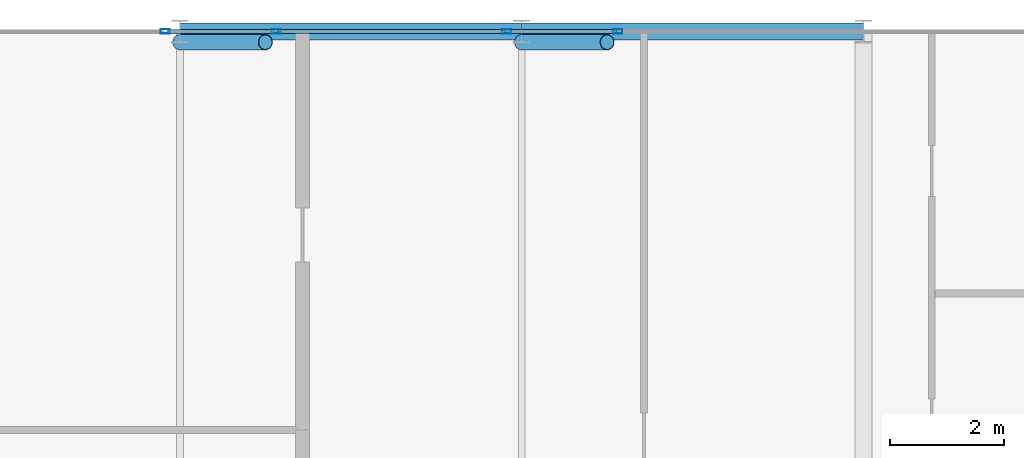
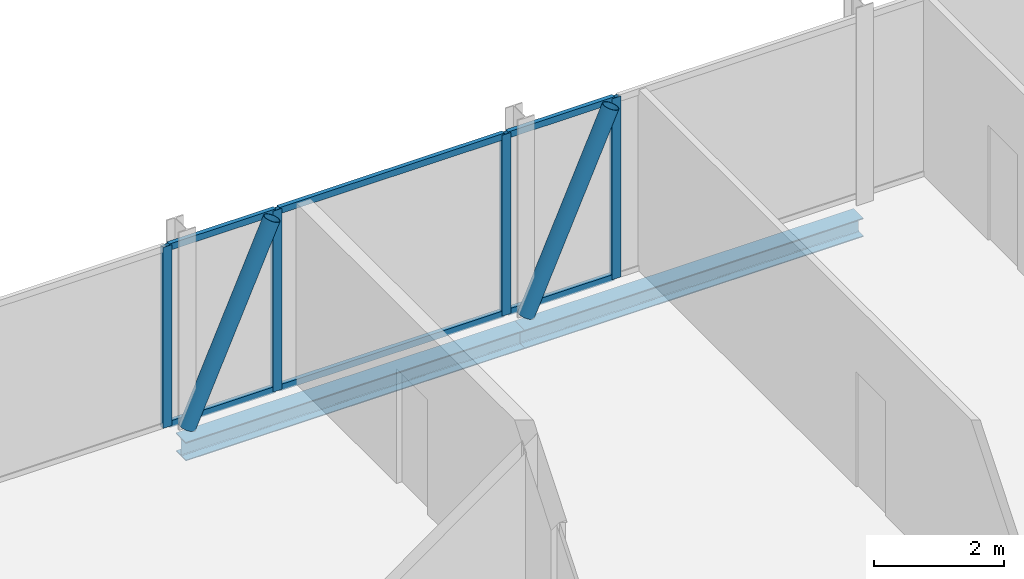
# One storey, part 17 of 27: 12 members, 2 beams, 4 elements without a shape of their own.
"""IFC4 building model written with IfcOpenShell, lengths in metres."""

from ifc_helpers import new_model, si_unit, direction, frame, origin, origin_2d, place, context, subcontext, project, spatial, hollow_rectangle, hollow_circle, i_section, extrude, material, layer, layer_set, material_profile, profile_set, type_object, element, aggregate, save


model = new_model("IFC4")

# Units and contexts
model_context = context("Model", 3, precision=1e-05, world=origin(), true_north=direction((0.0, 1.0)))
body_context = subcontext(model_context, "Body", "Model", "MODEL_VIEW")
ifc_project = project(units=[si_unit("LENGTHUNIT", "METRE"), si_unit("AREAUNIT", "SQUARE_METRE"), si_unit("VOLUMEUNIT", "CUBIC_METRE"), si_unit("PLANEANGLEUNIT", "RADIAN"), si_unit("MASSUNIT", "GRAM", prefix="KILO")], contexts=[model_context])

# Site, building, storey
site_placement = place(None, origin())
site = spatial("IfcSite", under=ifc_project, at=site_placement, CompositionType="ELEMENT")
building_placement = place(site_placement, origin())
building = spatial("IfcBuilding", under=site, at=building_placement, Name="Keshet Zoharim Tower", CompositionType="ELEMENT")
storey_placement = place(building_placement, frame((0.0, 0.0, 307.300048828125)))
storey = spatial("IfcBuildingStorey", under=building, at=storey_placement, Name="L77", CompositionType="ELEMENT", Elevation=307.300048828125)

# Beams
ifc_material_1 = material(Name="Steel S355", Category="steel")
ifc_material_profile_1 = material_profile(ifc_material_1, i_section(OverallWidth=0.300048828125, OverallDepth=0.35009765625, WebThickness=0.010009765625, FlangeThickness=0.017578125, FilletRadius=0.027099609375, at=origin_2d()), Name="HEA360")
ifc_profile_set_1 = profile_set([ifc_material_profile_1], Name="Steel S355")
beam_type = type_object("IfcBeamType", Name="BM-PRI-HA360", PredefinedType="BEAM", material=ifc_profile_set_1)
for number, where, z_axis, x_axis, name in (
    (1, (21.0, 53.89990234375, -0.485107421875), (1.0, 0.0, 0.0), (0.0, 1.0, 0.0), "L77 Primary Girder X-010"),
    (2, (27.0, 53.89990234375, -0.485107421875), (1.0, 0.0, 0.0), (0.0, 1.0, 0.0), "L77 Primary Girder X-011"),
):
    element("IfcBeam", number, at=place(storey_placement, frame(where, z_axis=z_axis, x_axis=x_axis)), inside=storey, type_object=beam_type, Name=name, PredefinedType="BEAM", context=body_context, shape_type="SweptSolid", body=[
        extrude(i_section(OverallWidth=0.300048828125, OverallDepth=0.35009765625, WebThickness=0.010009765625, FlangeThickness=0.017578125, FilletRadius=0.027099609375, at=origin_2d()), origin(), (0.0, 0.0, 1.0), 6.0),
    ])

# Curtain wall, member
ifc_material_2 = material(Name="Aluminium 6063-T6", Category="aluminium")
ifc_layer = layer(ifc_material_2, 0.260009765625)
ifc_layer_set = layer_set([ifc_layer], Name="Aluminium 6063-T6")
curtain_wall_type = type_object("IfcCurtainWallType", Name="CW-SYS-06", PredefinedType="NOTDEFINED", material=ifc_layer_set)
curtain_wall_1_placement = place(storey_placement, origin())
curtain_wall_1 = element("IfcCurtainWall", 3, at=curtain_wall_1_placement, inside=storey, type_object=curtain_wall_type, Name="L77 Unitised Curtain Wall 06", PredefinedType="NOTDEFINED")
ifc_material_profile_2 = material_profile(ifc_material_2, hollow_rectangle(XDim=0.074951171875, YDim=0.159912109375, WallThickness=0.00390625, at=origin_2d()), Name="MUL-75x160")
ifc_profile_set_2 = profile_set([ifc_material_profile_2], Name="Aluminium 6063-T6")
member_type_1 = type_object("IfcMemberType", Name="CWM-M15", PredefinedType="MULLION", material=ifc_profile_set_2)
member_1_placement = place(storey_placement, frame((20.740234375, 53.89990234375, 0.0), z_axis=(0.0, 0.0, 1.0), x_axis=(0.0, 1.0, 0.0)))
member_1 = element("IfcMember", 4, at=member_1_placement, type_object=member_type_1, Name="CW-06 mullion 2", PredefinedType="MULLION", context=body_context, shape_type="SweptSolid", body=[
    extrude(hollow_rectangle(XDim=0.074951171875, YDim=0.159912109375, WallThickness=0.00390625, at=origin_2d()), origin(), (0.0, 0.0, 1.0), 3.389892578125),
])
aggregate(curtain_wall_1, [member_1])

curtain_wall_2_placement = place(storey_placement, origin())
curtain_wall_2 = element("IfcCurtainWall", 5, at=curtain_wall_2_placement, inside=storey, type_object=curtain_wall_type, Name="L77 Unitised Curtain Wall 06 Part 2", PredefinedType="NOTDEFINED")
member_2_placement = place(storey_placement, frame((22.689697265625, 53.89990234375, 0.0), z_axis=(0.0, 0.0, 1.0), x_axis=(0.0, 1.0, 0.0)))
member_2 = element("IfcMember", 6, at=member_2_placement, type_object=member_type_1, Name="CW-06 mullion 2", PredefinedType="MULLION", context=body_context, shape_type="SweptSolid", body=[
    extrude(hollow_rectangle(XDim=0.074951171875, YDim=0.159912109375, WallThickness=0.00390625, at=origin_2d()), origin(), (0.0, 0.0, 1.0), 3.389892578125),
])

curtain_wall_3_placement = place(storey_placement, origin())
curtain_wall_3 = element("IfcCurtainWall", 7, at=curtain_wall_3_placement, inside=storey, type_object=curtain_wall_type, Name="L77 Unitised Curtain Wall 06 Part 3", PredefinedType="NOTDEFINED")
member_3_placement = place(storey_placement, frame((26.740234375, 53.89990234375, 0.0), z_axis=(0.0, 0.0, 1.0), x_axis=(0.0, 1.0, 0.0)))
member_3 = element("IfcMember", 8, at=member_3_placement, type_object=member_type_1, Name="CW-06 mullion 2", PredefinedType="MULLION", context=body_context, shape_type="SweptSolid", body=[
    extrude(hollow_rectangle(XDim=0.074951171875, YDim=0.159912109375, WallThickness=0.00390625, at=origin_2d()), origin(), (0.0, 0.0, 1.0), 3.389892578125),
])

curtain_wall_4_placement = place(storey_placement, origin())
curtain_wall_4 = element("IfcCurtainWall", 9, at=curtain_wall_4_placement, inside=storey, type_object=curtain_wall_type, Name="L77 Unitised Curtain Wall 06 Part 4", PredefinedType="NOTDEFINED")
member_4_placement = place(storey_placement, frame((28.689697265625, 53.89990234375, 0.0), z_axis=(0.0, 0.0, 1.0), x_axis=(0.0, 1.0, 0.0)))
member_4 = element("IfcMember", 10, at=member_4_placement, type_object=member_type_1, Name="CW-06 mullion 2", PredefinedType="MULLION", context=body_context, shape_type="SweptSolid", body=[
    extrude(hollow_rectangle(XDim=0.074951171875, YDim=0.159912109375, WallThickness=0.00390625, at=origin_2d()), origin(), (0.0, 0.0, 1.0), 3.389892578125),
])

# Member
ifc_material_profile_3 = material_profile(ifc_material_2, hollow_rectangle(XDim=0.074951171875, YDim=0.1201171875, WallThickness=0.00390625, at=origin_2d()), Name="TRN-75x120")
ifc_profile_set_3 = profile_set([ifc_material_profile_3], Name="Aluminium 6063-T6")
member_type_2 = type_object("IfcMemberType", Name="CWT-T12", PredefinedType="USERDEFINED", material=ifc_profile_set_3)
member_5_placement = place(storey_placement, frame((20.775146484375, 53.89990234375, 0.034912109375), z_axis=(1.0, 0.0, 0.0), x_axis=(0.0, 1.0, 0.0)))
member_5 = element("IfcMember", 11, at=member_5_placement, type_object=member_type_2, Name="CW-06 transom 1.1", ObjectType="TRANSOM", PredefinedType="USERDEFINED", context=body_context, shape_type="SweptSolid", body=[
    extrude(hollow_rectangle(XDim=0.074951171875, YDim=0.1201171875, WallThickness=0.00390625, at=origin_2d()), origin(), (0.0, 0.0, 1.0), 1.879638671875),
])

member_6_placement = place(storey_placement, frame((20.775146484375, 53.89990234375, 3.35498046875), z_axis=(1.0, 0.0, 0.0), x_axis=(0.0, 1.0, 0.0)))
member_6 = element("IfcMember", 12, at=member_6_placement, type_object=member_type_2, Name="CW-06 transom 1.2", ObjectType="TRANSOM", PredefinedType="USERDEFINED", context=body_context, shape_type="SweptSolid", body=[
    extrude(hollow_rectangle(XDim=0.074951171875, YDim=0.1201171875, WallThickness=0.00390625, at=origin_2d()), origin(), (0.0, 0.0, 1.0), 1.879638671875),
])

aggregate(curtain_wall_2, [member_2, member_5, member_6])

member_7_placement = place(storey_placement, frame((22.724853515625, 53.89990234375, 0.034912109375), z_axis=(1.0, 0.0, 0.0), x_axis=(0.0, 1.0, 0.0)))
member_7 = element("IfcMember", 13, at=member_7_placement, type_object=member_type_2, Name="CW-06 transom 1.1", ObjectType="TRANSOM", PredefinedType="USERDEFINED", context=body_context, shape_type="SweptSolid", body=[
    extrude(hollow_rectangle(XDim=0.074951171875, YDim=0.1201171875, WallThickness=0.00390625, at=origin_2d()), origin(), (0.0, 0.0, 1.0), 3.980224609375),
])

member_8_placement = place(storey_placement, frame((22.724853515625, 53.89990234375, 3.35498046875), z_axis=(1.0, 0.0, 0.0), x_axis=(0.0, 1.0, 0.0)))
member_8 = element("IfcMember", 14, at=member_8_placement, type_object=member_type_2, Name="CW-06 transom 1.2", ObjectType="TRANSOM", PredefinedType="USERDEFINED", context=body_context, shape_type="SweptSolid", body=[
    extrude(hollow_rectangle(XDim=0.074951171875, YDim=0.1201171875, WallThickness=0.00390625, at=origin_2d()), origin(), (0.0, 0.0, 1.0), 3.980224609375),
])

aggregate(curtain_wall_3, [member_3, member_7, member_8])

member_9_placement = place(storey_placement, frame((26.775146484375, 53.89990234375, 0.034912109375), z_axis=(1.0, 0.0, 0.0), x_axis=(0.0, 1.0, 0.0)))
member_9 = element("IfcMember", 15, at=member_9_placement, type_object=member_type_2, Name="CW-06 transom 1.1", ObjectType="TRANSOM", PredefinedType="USERDEFINED", context=body_context, shape_type="SweptSolid", body=[
    extrude(hollow_rectangle(XDim=0.074951171875, YDim=0.1201171875, WallThickness=0.00390625, at=origin_2d()), origin(), (0.0, 0.0, 1.0), 1.879638671875),
])

member_10_placement = place(storey_placement, frame((26.775146484375, 53.89990234375, 3.35498046875), z_axis=(1.0, 0.0, 0.0), x_axis=(0.0, 1.0, 0.0)))
member_10 = element("IfcMember", 16, at=member_10_placement, type_object=member_type_2, Name="CW-06 transom 1.2", ObjectType="TRANSOM", PredefinedType="USERDEFINED", context=body_context, shape_type="SweptSolid", body=[
    extrude(hollow_rectangle(XDim=0.074951171875, YDim=0.1201171875, WallThickness=0.00390625, at=origin_2d()), origin(), (0.0, 0.0, 1.0), 1.879638671875),
])

aggregate(curtain_wall_4, [member_4, member_9, member_10])

# Members
ifc_material_profile_4 = material_profile(ifc_material_1, hollow_circle(Radius=0.136474609375, WallThickness=0.010009765625, at=origin_2d()), Name="CHS273x10")
ifc_profile_set_4 = profile_set([ifc_material_profile_4], Name="Steel S355")
member_type_3 = type_object("IfcMemberType", Name="MB-BR-C273", PredefinedType="BRACE", material=ifc_profile_set_4)
for number, where, z_axis, x_axis, name in (
    (17, (21.0, 53.7099609375, 0.0), (0.40464689807, 0.0, 0.914473011019), (0.0, 1.0, 0.0), "L77 Perimeter Tube Brace 03"),
    (18, (27.0, 53.7099609375, 0.0), (0.40464689807, 0.0, 0.914473011019), (0.0, 1.0, 0.0), "L77 Perimeter Tube Brace 04"),
):
    element("IfcMember", number, at=place(storey_placement, frame(where, z_axis=z_axis, x_axis=x_axis)), inside=storey, type_object=member_type_3, Name=name, PredefinedType="BRACE", context=body_context, shape_type="SweptSolid", body=[
        extrude(hollow_circle(Radius=0.136474609375, WallThickness=0.010009765625, at=origin_2d()), origin(), (0.0, 0.0, 1.0), 3.70703125),
    ])

save(model, "model.ifc")
